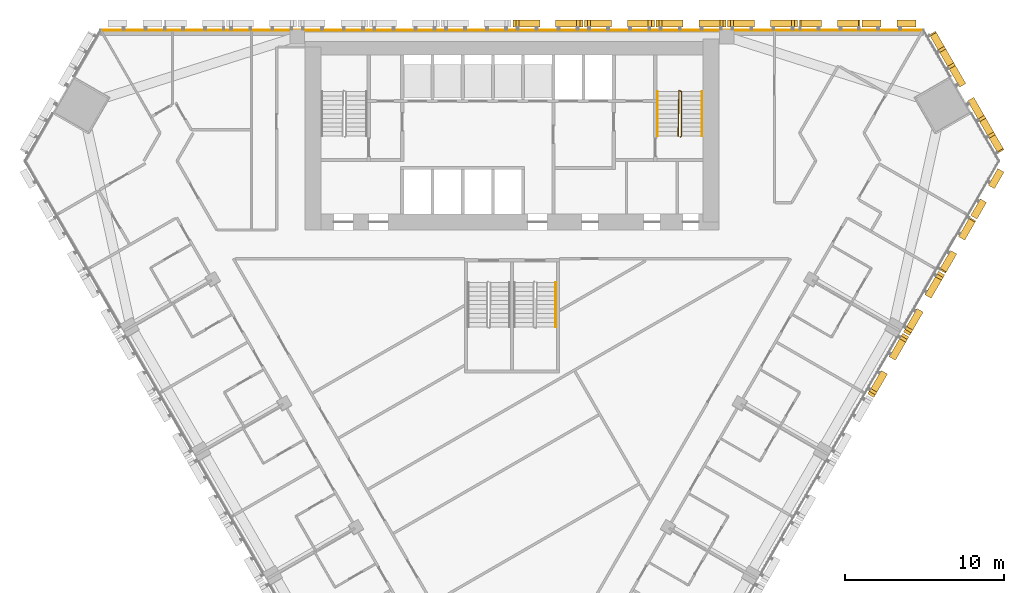
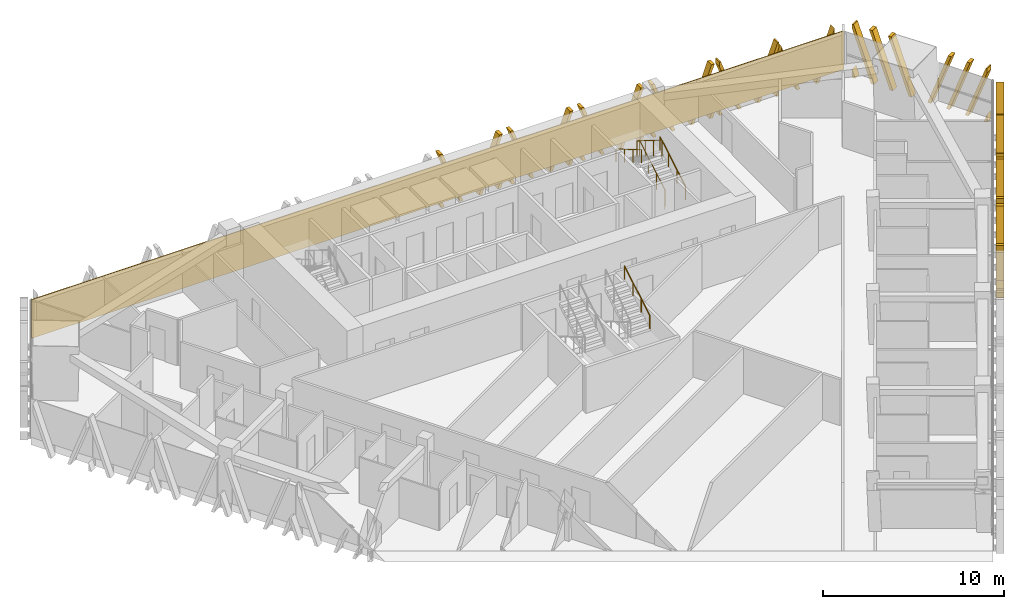
# One storey, part 17 of 18: 11 shading devices, 4 railings, 1 covering.
"""IFC4 building model written with IfcOpenShell, lengths in metres."""

from ifc_helpers import new_model, si_unit, direction, frame, frame_2d, origin, origin_2d, place, context, subcontext, project, spatial, polyline, rectangle, circle, outline, extrude, source, transform, mapped, material, layer, layer_set, type_object, element, save


model = new_model("IFC4")

# Units and contexts
model_context = context("Model", 3, precision=1e-05, world=origin(), true_north=direction((0.0, 1.0)))
body_context = subcontext(model_context, "Body", "Model", "MODEL_VIEW")
ifc_project = project(units=[si_unit("LENGTHUNIT", "METRE"), si_unit("AREAUNIT", "SQUARE_METRE"), si_unit("VOLUMEUNIT", "CUBIC_METRE"), si_unit("PLANEANGLEUNIT", "RADIAN"), si_unit("MASSUNIT", "GRAM", prefix="KILO")], contexts=[model_context])

# Site, building, storey
site_placement = place(None, origin())
site = spatial("IfcSite", under=ifc_project, at=site_placement, CompositionType="ELEMENT")
building_placement = place(site_placement, origin())
building = spatial("IfcBuilding", under=site, at=building_placement, Name="Altiplano Prism Tower", CompositionType="ELEMENT")
storey_placement = place(building_placement, frame((0.0, 0.0, 48.60009765625)))
storey = spatial("IfcBuildingStorey", under=building, at=storey_placement, Name="L11", CompositionType="ELEMENT", Elevation=48.60009765625)

# Railings
ifc_material_1 = material(Name="Steel S355", Category="steel")
railing_type_1 = type_object("IfcRailingType", Name="Stair guard 1100", PredefinedType="GUARDRAIL", material=ifc_material_1)
railing_1_placement = place(storey_placement, frame((95.60009765625, 98.25, 0.0)))
element("IfcRailing", 1, at=railing_1_placement, inside=storey, type_object=railing_type_1, Name="L11 ST2 stair guard 1", PredefinedType="GUARDRAIL", context=body_context, shape_type="SweptSolid", body=[
    extrude(circle(Radius=0.02392578125, at=origin_2d()), frame((0.0, 0.0, 1.076171875), z_axis=(0.279546231943, 0.280916556609, 0.91811752648), x_axis=(-0.708833529934, 0.705375805398, 0.0)), (0.0, 0.0, 1.0), 0.17822265625),
    extrude(circle(Radius=0.02392578125, at=origin_2d()), frame((0.0498046875, 0.050048828125, 1.23974609375), z_axis=(0.0, 0.863393664356, 0.504530851732), x_axis=(-1.0, 0.0, 0.0)), (0.0, 0.0, 1.0), 3.2431640625),
    extrude(circle(Radius=0.02392578125, at=origin_2d()), frame((0.0498046875, 2.85009765625, 2.8759765625), z_axis=(-0.948991962702, 0.315300261223, 0.0), x_axis=(-0.315300261223, -0.948991962702, 0.0)), (0.0, 0.0, 1.0), 0.157958984375),
    extrude(circle(Radius=0.02392578125, at=origin_2d()), frame((-0.10009765625, 2.89990234375, 2.8759765625), z_axis=(-0.014846418356, -0.845376787675, 0.533964109957), x_axis=(0.999845825584, -0.017559187376, 0.0)), (0.0, 0.0, 1.0), 3.37109375),
    extrude(circle(Radius=0.02099609375, at=origin_2d()), origin(), (0.0, 0.0, 1.0), 1.052001953125),
    extrude(circle(Radius=0.02099609375, at=origin_2d()), frame((0.0498046875, 0.050048828125, 0.16357421875)), (0.0, 0.0, 1.0), 1.052001953125),
    extrude(circle(Radius=0.02099609375, at=origin_2d()), frame((0.0498046875, 0.9833984375, 0.708984375)), (0.0, 0.0, 1.0), 1.052001953125),
    extrude(circle(Radius=0.02099609375, at=origin_2d()), frame((0.0498046875, 1.916748046875, 1.25439453125)), (0.0, 0.0, 1.0), 1.052001953125),
    extrude(circle(Radius=0.02099609375, at=origin_2d()), frame((0.0498046875, 2.85009765625, 1.7998046875)), (0.0, 0.0, 1.0), 1.052001953125),
    extrude(circle(Radius=0.02099609375, at=origin_2d()), frame((-0.10009765625, 2.89990234375, 1.7998046875)), (0.0, 0.0, 1.0), 1.052001953125),
    extrude(circle(Radius=0.02099609375, at=origin_2d()), frame((-0.11669921875, 1.949951171875, 2.39990234375)), (0.0, 0.0, 1.0), 1.052001953125),
    extrude(circle(Radius=0.02099609375, at=origin_2d()), frame((-0.133544921875, 1.0, 2.999755859375)), (0.0, 0.0, 1.0), 1.052001953125),
    extrude(circle(Radius=0.02099609375, at=origin_2d()), frame((-0.150146484375, 0.050048828125, 3.599853515625)), (0.0, 0.0, 1.0), 1.052001953125),
])
railing_type_2 = type_object("IfcRailingType", Name="Stair handrail 900", PredefinedType="HANDRAIL", material=ifc_material_1)
railing_2_placement = place(storey_placement, frame((96.949951171875, 98.300048828125, 0.16357421875)))
element("IfcRailing", 2, at=railing_2_placement, inside=storey, type_object=railing_type_2, Name="L11 ST2 stair handrail 1", PredefinedType="HANDRAIL", context=body_context, shape_type="SweptSolid", body=[
    extrude(circle(Radius=0.02392578125, at=origin_2d()), frame((0.0, 0.0, 0.8759765625), z_axis=(0.0, 0.863393664356, 0.504530851732), x_axis=(-1.0, 0.0, 0.0)), (0.0, 0.0, 1.0), 3.2431640625),
    extrude(circle(Radius=0.02099609375, at=origin_2d()), origin(), (0.0, 0.0, 1.0), 0.851806640625),
    extrude(circle(Radius=0.02099609375, at=origin_2d()), frame((0.0, 0.933349609375, 0.54541015625)), (0.0, 0.0, 1.0), 0.851806640625),
    extrude(circle(Radius=0.02099609375, at=origin_2d()), frame((0.0, 1.86669921875, 1.0908203125)), (0.0, 0.0, 1.0), 0.851806640625),
    extrude(circle(Radius=0.02099609375, at=origin_2d()), frame((0.0, 2.800048828125, 1.63623046875)), (0.0, 0.0, 1.0), 0.851806640625),
])
railing_3_placement = place(storey_placement, frame((94.14990234375, 101.10009765625, 1.963623046875)))
element("IfcRailing", 3, at=railing_3_placement, inside=storey, type_object=railing_type_2, Name="L11 ST2 stair handrail 2", PredefinedType="HANDRAIL", context=body_context, shape_type="SweptSolid", body=[
    extrude(circle(Radius=0.02392578125, at=origin_2d()), frame((0.0, 0.0, 0.8759765625), z_axis=(0.0, -0.863393664356, 0.504530851732), x_axis=(1.0, 0.0, 0.0)), (0.0, 0.0, 1.0), 3.2431640625),
    extrude(circle(Radius=0.02099609375, at=origin_2d()), origin(), (0.0, 0.0, 1.0), 0.851806640625),
    extrude(circle(Radius=0.02099609375, at=origin_2d()), frame((0.0, -0.933349609375, 0.54541015625)), (0.0, 0.0, 1.0), 0.851806640625),
    extrude(circle(Radius=0.02099609375, at=origin_2d()), frame((0.0, -1.86669921875, 1.0908203125)), (0.0, 0.0, 1.0), 0.851806640625),
    extrude(circle(Radius=0.02099609375, at=origin_2d()), frame((0.0, -2.800048828125, 1.63623046875)), (0.0, 0.0, 1.0), 0.851806640625),
])
railing_4_placement = place(storey_placement, frame((87.75, 86.300048828125, 1.963623046875)))
element("IfcRailing", 4, at=railing_4_placement, inside=storey, type_object=railing_type_2, Name="L11 ST3B stair handrail 2", PredefinedType="HANDRAIL", context=body_context, shape_type="SweptSolid", body=[
    extrude(circle(Radius=0.02392578125, at=origin_2d()), frame((0.0, 0.0, 0.8759765625), z_axis=(0.0, 0.863393664356, 0.504530851732), x_axis=(-1.0, 0.0, 0.0)), (0.0, 0.0, 1.0), 3.2431640625),
    extrude(circle(Radius=0.02099609375, at=origin_2d()), origin(), (0.0, 0.0, 1.0), 0.851806640625),
    extrude(circle(Radius=0.02099609375, at=origin_2d()), frame((0.0, 0.933349609375, 0.54541015625)), (0.0, 0.0, 1.0), 0.851806640625),
    extrude(circle(Radius=0.02099609375, at=origin_2d()), frame((0.0, 1.86669921875, 1.0908203125)), (0.0, 0.0, 1.0), 0.851806640625),
    extrude(circle(Radius=0.02099609375, at=origin_2d()), frame((0.0, 2.800048828125, 1.63623046875)), (0.0, 0.0, 1.0), 0.851806640625),
])

# Covering
ifc_material_2 = material(Name="Warm limestone cast stone", Category="masonry")
ifc_layer = layer(ifc_material_2, 0.06005859375)
ifc_layer_set = layer_set([ifc_layer], Name="Warm limestone cast stone")
covering_type = type_object("IfcCoveringType", Name="Stone cladding 60", PredefinedType="CLADDING", material=ifc_layer_set)
covering_placement = place(storey_placement, frame((59.125, 104.969970703125, 0.0), z_axis=(0.0, 0.0, 1.0), x_axis=(1.0, 0.0, 0.0)))
element("IfcCovering", 5, at=covering_placement, inside=storey, type_object=covering_type, Name="Stone cladding north face L11", PredefinedType="CLADDING", context=body_context, shape_type="SweptSolid", body=[
    extrude(rectangle(XDim=51.75, YDim=0.06005859375, at=frame_2d((25.875, 0.0))), origin(), (0.0, 0.0, 1.0), 2.599853515625),
])

# Shading devices
shading_device_type_1 = type_object("IfcShadingDeviceType", Name="Stone fin panel, standard unit", PredefinedType="USERDEFINED", material=ifc_material_2)
shared_shape_1 = source(origin(), body_context, "Body", "SweptSolid", [
    extrude(outline(polyline([(-2.199951171875, 1.373779296875), (-2.199951171875, 0.82421875), (-1.89990234375, 0.0), (-1.699951171875, 0.0), (-2.199951171875, 1.373779296875)])), frame((0.0, -0.14990234375, 0.0), z_axis=(0.0, -1.0, 0.0), x_axis=(1.0, 0.0, 0.0)), (0.0, 0.0, 1.0), 0.4501953125),
    extrude(outline(polyline([(-2.01025390625, 3.60009765625), (-0.699951171875, 0.0), (-0.5, 0.0), (-1.810302734375, 3.60009765625), (-2.01025390625, 3.60009765625)])), frame((0.0, -0.14990234375, 0.0), z_axis=(0.0, -1.0, 0.0), x_axis=(1.0, 0.0, 0.0)), (0.0, 0.0, 1.0), 0.4501953125),
    extrude(outline(polyline([(1.810302734375, 3.60009765625), (0.5, 0.0), (0.699951171875, 0.0), (2.01025390625, 3.60009765625), (1.810302734375, 3.60009765625)])), frame((0.0, -0.14990234375, 0.0), z_axis=(0.0, -1.0, 0.0), x_axis=(1.0, 0.0, 0.0)), (0.0, 0.0, 1.0), 0.4501953125),
    extrude(outline(polyline([(2.199951171875, 0.82421875), (2.199951171875, 1.373779296875), (1.699951171875, 0.0), (1.89990234375, 0.0), (2.199951171875, 0.82421875)])), frame((0.0, -0.14990234375, 0.0), z_axis=(0.0, -1.0, 0.0), x_axis=(1.0, 0.0, 0.0)), (0.0, 0.0, 1.0), 0.4501953125),
])
shading_device_1_placement = place(storey_placement, origin())
element("IfcShadingDevice", 6, at=shading_device_1_placement, inside=storey, type_object=shading_device_type_1, Name="Fin L11 north face 3", ObjectType="FIN", PredefinedType="USERDEFINED", context=body_context, shape_type="MappedRepresentation", body=[
    mapped(shared_shape_1, transform((100.75, 105.0, -0.5), x_axis=(-1.0, 0.0, 0.0), y_axis=(0.0, -1.0, 0.0), z_axis=(0.0, 0.0, 1.0))),
])
shading_device_2_placement = place(storey_placement, origin())
element("IfcShadingDevice", 7, at=shading_device_2_placement, inside=storey, type_object=shading_device_type_1, Name="Fin L11 north face 4", ObjectType="FIN", PredefinedType="USERDEFINED", context=body_context, shape_type="MappedRepresentation", body=[
    mapped(shared_shape_1, transform((96.25, 105.0, -0.5), x_axis=(-1.0, 0.0, 0.0), y_axis=(0.0, -1.0, 0.0), z_axis=(0.0, 0.0, 1.0))),
])
shading_device_3_placement = place(storey_placement, origin())
element("IfcShadingDevice", 8, at=shading_device_3_placement, inside=storey, type_object=shading_device_type_1, Name="Fin L11 north face 5", ObjectType="FIN", PredefinedType="USERDEFINED", context=body_context, shape_type="MappedRepresentation", body=[
    mapped(shared_shape_1, transform((91.75, 105.0, -0.5), x_axis=(-1.0, 0.0, 0.0), y_axis=(0.0, -1.0, 0.0), z_axis=(0.0, 0.0, 1.0))),
])
shading_device_4_placement = place(storey_placement, origin())
element("IfcShadingDevice", 9, at=shading_device_4_placement, inside=storey, type_object=shading_device_type_1, Name="Fin L11 north face 6", ObjectType="FIN", PredefinedType="USERDEFINED", context=body_context, shape_type="MappedRepresentation", body=[
    mapped(shared_shape_1, transform((87.25, 105.0, -0.5), x_axis=(-1.0, 0.0, 0.0), y_axis=(0.0, -1.0, 0.0), z_axis=(0.0, 0.0, 1.0))),
])
shading_device_5_placement = place(storey_placement, origin())
element("IfcShadingDevice", 10, at=shading_device_5_placement, inside=storey, type_object=shading_device_type_1, Name="Fin L11 south-east face 9", ObjectType="FIN", PredefinedType="USERDEFINED", context=body_context, shape_type="MappedRepresentation", body=[
    mapped(shared_shape_1, transform((108.33154296875, 84.073974609375, -0.5), x_axis=(0.499999989059, 0.866025410101, 0.0), y_axis=(-0.866025410101, 0.499999989059, 0.0), z_axis=(0.0, 0.0, 1.0))),
])
shading_device_6_placement = place(storey_placement, origin())
element("IfcShadingDevice", 11, at=shading_device_6_placement, inside=storey, type_object=shading_device_type_1, Name="Fin L11 south-east face 10", ObjectType="FIN", PredefinedType="USERDEFINED", context=body_context, shape_type="MappedRepresentation", body=[
    mapped(shared_shape_1, transform((110.58154296875, 87.97119140625, -0.5), x_axis=(0.499999989059, 0.866025410101, 0.0), y_axis=(-0.866025410101, 0.499999989059, 0.0), z_axis=(0.0, 0.0, 1.0))),
])
shading_device_type_2 = type_object("IfcShadingDeviceType", Name="Stone fin panel, narrow closing bay", PredefinedType="USERDEFINED", material=ifc_material_2)
shared_shape_2 = source(origin(), body_context, "Body", "SweptSolid", [
    extrude(outline(polyline([(-1.699951171875, 3.297119140625), (-1.699951171875, 2.74755859375), (-0.699951171875, 0.0), (-0.5, 0.0), (-1.699951171875, 3.297119140625)])), frame((0.0, -0.14990234375, 0.0), z_axis=(0.0, -1.0, 0.0), x_axis=(1.0, 0.0, 0.0)), (0.0, 0.0, 1.0), 0.4501953125),
    extrude(outline(polyline([(1.699951171875, 2.74755859375), (1.699951171875, 3.297119140625), (0.5, 0.0), (0.699951171875, 0.0), (1.699951171875, 2.74755859375)])), frame((0.0, -0.14990234375, 0.0), z_axis=(0.0, -1.0, 0.0), x_axis=(1.0, 0.0, 0.0)), (0.0, 0.0, 1.0), 0.4501953125),
])
shading_device_7_placement = place(storey_placement, origin())
element("IfcShadingDevice", 12, at=shading_device_7_placement, inside=storey, type_object=shading_device_type_2, Name="Fin L11 north face 1", ObjectType="FIN", PredefinedType="USERDEFINED", context=body_context, shape_type="MappedRepresentation", body=[
    mapped(shared_shape_2, transform((108.706298828125, 105.0, -0.5), x_axis=(-1.0, 0.0, 0.0), y_axis=(0.0, -1.0, 0.0), z_axis=(0.0, 0.0, 1.0))),
])
shading_device_8_placement = place(storey_placement, origin())
element("IfcShadingDevice", 13, at=shading_device_8_placement, inside=storey, type_object=shading_device_type_2, Name="Fin L11 south-east face 12", ObjectType="FIN", PredefinedType="USERDEFINED", context=body_context, shape_type="MappedRepresentation", body=[
    mapped(shared_shape_2, transform((114.559814453125, 94.861572265625, -0.5), x_axis=(0.499999989059, 0.866025410101, 0.0), y_axis=(-0.866025410101, 0.499999989059, 0.0), z_axis=(0.0, 0.0, 1.0))),
])
shared_shape_3 = source(origin(), body_context, "Body", "SweptSolid", [
    extrude(outline(polyline([(-1.89990234375, 3.60009765625), (-1.89990234375, 3.297119140625), (-0.699951171875, 0.0), (-0.5, 0.0), (-1.810302734375, 3.60009765625), (-1.89990234375, 3.60009765625)])), frame((0.0, -0.14990234375, 0.0), z_axis=(0.0, -1.0, 0.0), x_axis=(1.0, 0.0, 0.0)), (0.0, 0.0, 1.0), 0.4501953125),
    extrude(outline(polyline([(-1.89990234375, 0.549560546875), (-1.89990234375, 0.0), (-1.699951171875, 0.0), (-1.89990234375, 0.549560546875)])), frame((0.0, -0.14990234375, 0.0), z_axis=(0.0, -1.0, 0.0), x_axis=(1.0, 0.0, 0.0)), (0.0, 0.0, 1.0), 0.4501953125),
    extrude(outline(polyline([(1.810302734375, 3.60009765625), (0.5, 0.0), (0.699951171875, 0.0), (1.89990234375, 3.297119140625), (1.89990234375, 3.60009765625), (1.810302734375, 3.60009765625)])), frame((0.0, -0.14990234375, 0.0), z_axis=(0.0, -1.0, 0.0), x_axis=(1.0, 0.0, 0.0)), (0.0, 0.0, 1.0), 0.4501953125),
    extrude(outline(polyline([(1.89990234375, 0.0), (1.89990234375, 0.549560546875), (1.699951171875, 0.0), (1.89990234375, 0.0)])), frame((0.0, -0.14990234375, 0.0), z_axis=(0.0, -1.0, 0.0), x_axis=(1.0, 0.0, 0.0)), (0.0, 0.0, 1.0), 0.4501953125),
])
shading_device_9_placement = place(storey_placement, origin())
element("IfcShadingDevice", 14, at=shading_device_9_placement, inside=storey, type_object=shading_device_type_2, Name="Fin L11 north face 2", ObjectType="FIN", PredefinedType="USERDEFINED", context=body_context, shape_type="MappedRepresentation", body=[
    mapped(shared_shape_3, transform((104.96875, 105.0, -0.5), x_axis=(-1.0, 0.0, 0.0), y_axis=(0.0, -1.0, 0.0), z_axis=(0.0, 0.0, 1.0))),
])
shading_device_10_placement = place(storey_placement, origin())
element("IfcShadingDevice", 15, at=shading_device_10_placement, inside=storey, type_object=shading_device_type_2, Name="Fin L11 south-east face 11", ObjectType="FIN", PredefinedType="USERDEFINED", context=body_context, shape_type="MappedRepresentation", body=[
    mapped(shared_shape_3, transform((112.69091796875, 91.624755859375, -0.5), x_axis=(0.499999989059, 0.866025410101, 0.0), y_axis=(-0.866025410101, 0.499999989059, 0.0), z_axis=(0.0, 0.0, 1.0))),
])
shading_device_type_3 = type_object("IfcShadingDeviceType", Name="Stone fin panel, chamfer unit", PredefinedType="USERDEFINED", material=ifc_material_2)
shared_shape_4 = source(origin(), body_context, "Body", "SweptSolid", [
    extrude(outline(polyline([(-4.300048828125, 3.60009765625), (-4.300048828125, 3.297119140625), (-3.10009765625, 0.0), (-2.89990234375, 0.0), (-4.210205078125, 3.60009765625), (-4.300048828125, 3.60009765625)])), frame((0.0, -0.14990234375, 0.0), z_axis=(0.0, -1.0, 0.0), x_axis=(1.0, 0.0, 0.0)), (0.0, 0.0, 1.0), 0.4501953125),
    extrude(outline(polyline([(-4.300048828125, 0.549560546875), (-4.300048828125, 0.0), (-4.10009765625, 0.0), (-4.300048828125, 0.549560546875)])), frame((0.0, -0.14990234375, 0.0), z_axis=(0.0, -1.0, 0.0), x_axis=(1.0, 0.0, 0.0)), (0.0, 0.0, 1.0), 0.4501953125),
    extrude(outline(polyline([(-3.210205078125, 3.60009765625), (-1.89990234375, 0.0), (-1.699951171875, 0.0), (-3.01025390625, 3.60009765625), (-3.210205078125, 3.60009765625)])), frame((0.0, -0.14990234375, 0.0), z_axis=(0.0, -1.0, 0.0), x_axis=(1.0, 0.0, 0.0)), (0.0, 0.0, 1.0), 0.4501953125),
    extrude(outline(polyline([(-2.01025390625, 3.60009765625), (-0.699951171875, 0.0), (-0.5, 0.0), (-1.810302734375, 3.60009765625), (-2.01025390625, 3.60009765625)])), frame((0.0, -0.14990234375, 0.0), z_axis=(0.0, -1.0, 0.0), x_axis=(1.0, 0.0, 0.0)), (0.0, 0.0, 1.0), 0.4501953125),
    extrude(outline(polyline([(1.810302734375, 3.60009765625), (0.5, 0.0), (0.699951171875, 0.0), (2.01025390625, 3.60009765625), (1.810302734375, 3.60009765625)])), frame((0.0, -0.14990234375, 0.0), z_axis=(0.0, -1.0, 0.0), x_axis=(1.0, 0.0, 0.0)), (0.0, 0.0, 1.0), 0.4501953125),
    extrude(outline(polyline([(3.01025390625, 3.60009765625), (1.699951171875, 0.0), (1.89990234375, 0.0), (3.210205078125, 3.60009765625), (3.01025390625, 3.60009765625)])), frame((0.0, -0.14990234375, 0.0), z_axis=(0.0, -1.0, 0.0), x_axis=(1.0, 0.0, 0.0)), (0.0, 0.0, 1.0), 0.4501953125),
    extrude(outline(polyline([(4.210205078125, 3.60009765625), (2.89990234375, 0.0), (3.10009765625, 0.0), (4.300048828125, 3.297119140625), (4.300048828125, 3.60009765625), (4.210205078125, 3.60009765625)])), frame((0.0, -0.14990234375, 0.0), z_axis=(0.0, -1.0, 0.0), x_axis=(1.0, 0.0, 0.0)), (0.0, 0.0, 1.0), 0.4501953125),
    extrude(outline(polyline([(4.300048828125, 0.0), (4.300048828125, 0.549560546875), (4.10009765625, 0.0), (4.300048828125, 0.0)])), frame((0.0, -0.14990234375, 0.0), z_axis=(0.0, -1.0, 0.0), x_axis=(1.0, 0.0, 0.0)), (0.0, 0.0, 1.0), 0.4501953125),
])
shading_device_11_placement = place(storey_placement, origin())
element("IfcShadingDevice", 16, at=shading_device_11_placement, inside=storey, type_object=shading_device_type_3, Name="Fin L11 north-east chamfer 1", ObjectType="FIN", PredefinedType="USERDEFINED", context=body_context, shape_type="MappedRepresentation", body=[
    mapped(shared_shape_4, transform((113.259521484375, 100.869873046875, -0.5), x_axis=(-0.499999930086, 0.866025444149, 0.0), y_axis=(-0.866025444149, -0.499999930086, 0.0), z_axis=(0.0, 0.0, 1.0))),
])

save(model, "model.ifc")
